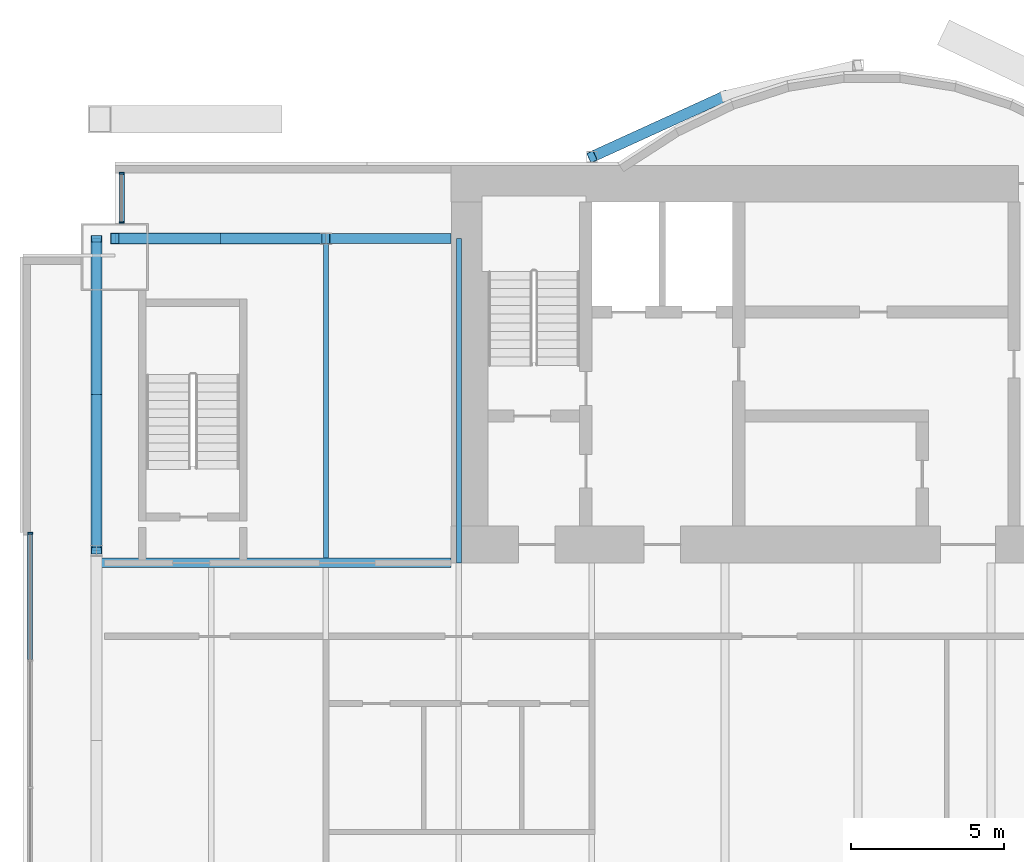
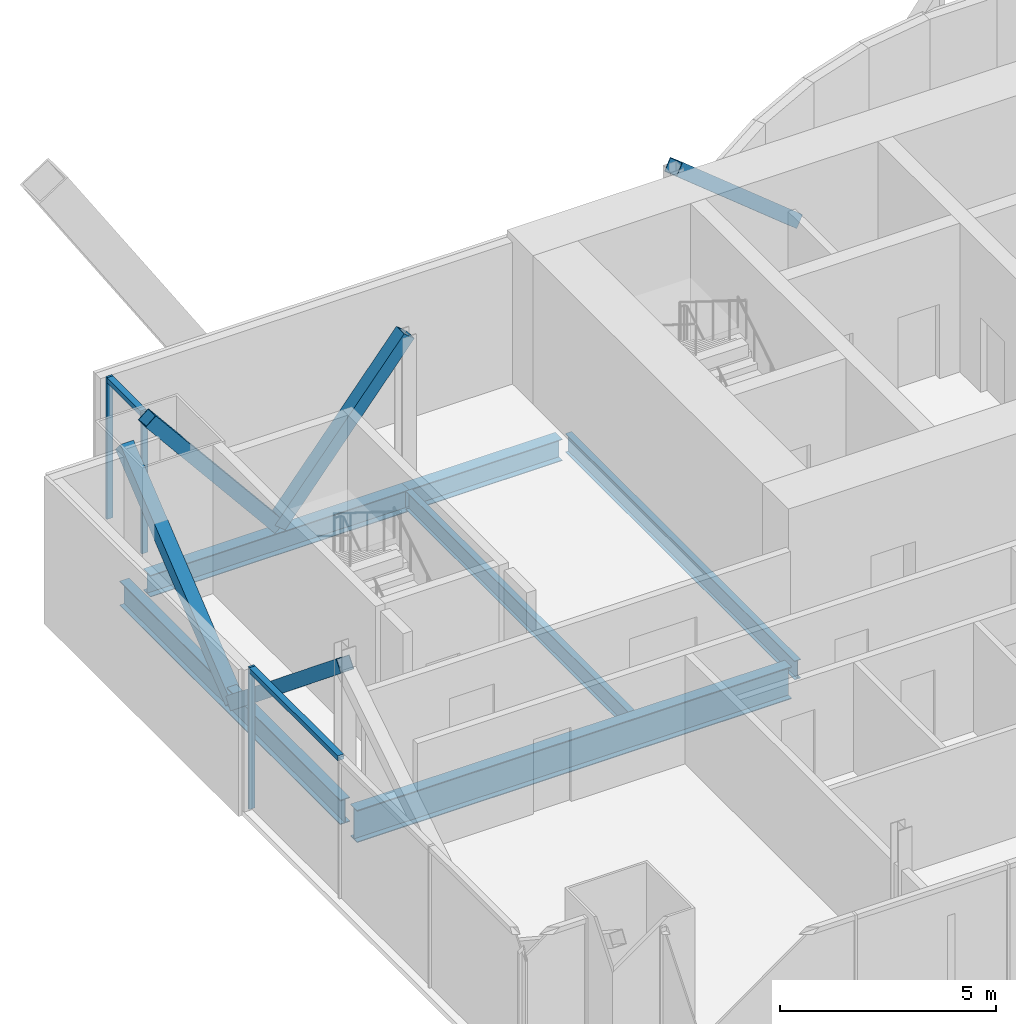
# One storey, part 7 of 19: 10 members, 6 beams, 2 elements without a shape of their own.
"""IFC4 building model written with IfcOpenShell, lengths in metres."""

from ifc_helpers import new_model, si_unit, direction, frame, origin, origin_2d, place, context, subcontext, project, spatial, rectangle, hollow_rectangle, i_section, extrude, material, material_profile, profile_set, type_object, element, aggregate, save


model = new_model("IFC4")

# Units and contexts
model_context = context("Model", 3, precision=1e-05, world=origin(), true_north=direction((0.0, 1.0)))
body_context = subcontext(model_context, "Body", "Model", "MODEL_VIEW")
ifc_project = project(units=[si_unit("LENGTHUNIT", "METRE"), si_unit("AREAUNIT", "SQUARE_METRE"), si_unit("VOLUMEUNIT", "CUBIC_METRE"), si_unit("PLANEANGLEUNIT", "RADIAN"), si_unit("MASSUNIT", "GRAM", prefix="KILO")], contexts=[model_context])

# Site, building, storey
site_placement = place(None, origin())
site = spatial("IfcSite", under=ifc_project, at=site_placement, CompositionType="ELEMENT")
building_placement = place(site_placement, origin())
building = spatial("IfcBuilding", under=site, at=building_placement, Name="Bicima Exchange Tower", CompositionType="ELEMENT")
storey_placement = place(building_placement, frame((0.0, 0.0, 283.39990234375)))
storey = spatial("IfcBuildingStorey", under=building, at=storey_placement, Name="L64", CompositionType="ELEMENT", Elevation=283.39990234375)

# Beam
ifc_material_1 = material(Name="Steel ASTM A992 Gr 50", Category="steel")
ifc_material_profile_1 = material_profile(ifc_material_1, i_section(OverallWidth=0.3046875, OverallDepth=0.911865234375, WebThickness=0.015869140625, FlangeThickness=0.02392578125, at=origin_2d()))
ifc_profile_set_1 = profile_set([ifc_material_profile_1], Name="Steel ASTM A992 Gr 50")
beam_type_1 = type_object("IfcBeamType", Name="Core-line girder W36x150", PredefinedType="BEAM", material=ifc_profile_set_1)
beam_1_placement = place(storey_placement, frame((-22.0, -13.0, -0.605712890625), z_axis=(-1.0, 0.0, 0.0), x_axis=(0.0, -1.0, 0.0)))
element("IfcBeam", 1, at=beam_1_placement, inside=storey, type_object=beam_type_1, Name="Core-line girder", PredefinedType="BEAM", context=body_context, shape_type="SweptSolid", body=[
    extrude(i_section(OverallWidth=0.3046875, OverallDepth=0.911865234375, WebThickness=0.015869140625, FlangeThickness=0.02392578125, at=origin_2d()), origin(), (0.0, 0.0, 1.0), 11.60009765625),
])

# Curtain wall, members
ifc_material_2 = material(Name="Anodised bronze aluminium", Category="aluminium")
curtain_wall_type_1 = type_object("IfcCurtainWallType", Name="End face glass wall", PredefinedType="NOTDEFINED", material=ifc_material_2)
curtain_wall_1_placement = place(storey_placement, origin())
curtain_wall_1 = element("IfcCurtainWall", 2, at=curtain_wall_1_placement, inside=storey, type_object=curtain_wall_type_1, Name="End face glass wall L64 run 2", PredefinedType="NOTDEFINED")
ifc_material_profile_2 = material_profile(ifc_material_2, rectangle(XDim=0.159912109375, YDim=0.06005859375, at=origin_2d()))
ifc_profile_set_2 = profile_set([ifc_material_profile_2], Name="Anodised bronze aluminium")
member_type_1 = type_object("IfcMemberType", Name="End face glass wall mullion 60 x 160", PredefinedType="MULLION", material=ifc_profile_set_2)
member_1_placement = place(storey_placement, frame((-35.77001953125, -12.030029296875, 0.0), z_axis=(0.0, 0.0, 1.0), x_axis=(1.0, 0.0, 0.0)))
member_1 = element("IfcMember", 3, at=member_1_placement, type_object=member_type_1, Name="End face glass wall mullion 1", PredefinedType="MULLION", context=body_context, shape_type="SweptSolid", body=[
    extrude(rectangle(XDim=0.159912109375, YDim=0.06005859375, at=origin_2d()), origin(), (0.0, 0.0, 1.0), 4.0),
])
ifc_material_profile_3 = material_profile(ifc_material_2, rectangle(XDim=0.159912109375, YDim=0.139892578125, at=origin_2d()))
ifc_profile_set_3 = profile_set([ifc_material_profile_3], Name="Anodised bronze aluminium")
member_type_2 = type_object("IfcMemberType", Name="End face glass wall transom 140 x 160", PredefinedType="USERDEFINED", material=ifc_profile_set_3)
member_2_placement = place(storey_placement, frame((-35.77001953125, -12.06005859375, 3.93017578125), z_axis=(0.0, -1.0, 0.0), x_axis=(1.0, 0.0, 0.0)))
member_2 = element("IfcMember", 4, at=member_2_placement, type_object=member_type_2, Name="End face glass wall transom 1.1", ObjectType="TRANSOM", PredefinedType="USERDEFINED", context=body_context, shape_type="SweptSolid", body=[
    extrude(rectangle(XDim=0.159912109375, YDim=0.139892578125, at=origin_2d()), origin(), (0.0, 0.0, 1.0), 4.09912109375),
])
aggregate(curtain_wall_1, [member_1, member_2])

# Beams
ifc_material_profile_4 = material_profile(ifc_material_1, i_section(OverallWidth=0.256591796875, OverallDepth=0.693359375, WebThickness=0.014404296875, FlangeThickness=0.023681640625, at=origin_2d()))
ifc_profile_set_4 = profile_set([ifc_material_profile_4], Name="Steel ASTM A992 Gr 50")
beam_type_2 = type_object("IfcBeamType", Name="End girder W27x114", PredefinedType="BEAM", material=ifc_profile_set_4)
beam_2_placement = place(storey_placement, frame((-33.60009765625, -2.39990234375, -0.49658203125), z_axis=(0.0, -1.0, 0.0), x_axis=(1.0, 0.0, 0.0)))
element("IfcBeam", 5, at=beam_2_placement, inside=storey, type_object=beam_type_2, Name="End girder", PredefinedType="BEAM", context=body_context, shape_type="SweptSolid", body=[
    extrude(i_section(OverallWidth=0.256591796875, OverallDepth=0.693359375, WebThickness=0.014404296875, FlangeThickness=0.023681640625, at=origin_2d()), origin(), (0.0, 0.0, 1.0), 10.2001953125),
])
ifc_material_profile_5 = material_profile(ifc_material_1, i_section(OverallWidth=0.165771484375, OverallDepth=0.5283203125, WebThickness=0.009765625, FlangeThickness=0.013671875, at=origin_2d()))
ifc_profile_set_5 = profile_set([ifc_material_profile_5], Name="Steel ASTM A992 Gr 50")
beam_type_3 = type_object("IfcBeamType", Name="Floor beam W21x50", PredefinedType="JOIST", material=ifc_profile_set_5)
beam_3_placement = place(storey_placement, frame((-26.10009765625, -2.5625, -0.4140625), z_axis=(0.0, -1.0, 0.0), x_axis=(1.0, 0.0, 0.0)))
element("IfcBeam", 6, at=beam_3_placement, inside=storey, type_object=beam_type_3, Name="Floor beam", PredefinedType="JOIST", context=body_context, shape_type="SweptSolid", body=[
    extrude(i_section(OverallWidth=0.165771484375, OverallDepth=0.5283203125, WebThickness=0.009765625, FlangeThickness=0.013671875, at=origin_2d()), origin(), (0.0, 0.0, 1.0), 10.28515625),
])
beam_4_placement = place(storey_placement, frame((-21.75, -2.39990234375, -0.4140625), z_axis=(0.0, -1.0, 0.0), x_axis=(1.0, 0.0, 0.0)))
element("IfcBeam", 7, at=beam_4_placement, inside=storey, type_object=beam_type_3, Name="Floor beam", PredefinedType="JOIST", context=body_context, shape_type="SweptSolid", body=[
    extrude(i_section(OverallWidth=0.165771484375, OverallDepth=0.5283203125, WebThickness=0.009765625, FlangeThickness=0.013671875, at=origin_2d()), origin(), (0.0, 0.0, 1.0), 10.60009765625),
])

# Curtain wall, members
curtain_wall_type_2 = type_object("IfcCurtainWallType", Name="Front glass wall", PredefinedType="NOTDEFINED", material=ifc_material_2)
curtain_wall_2_placement = place(storey_placement, origin())
curtain_wall_2 = element("IfcCurtainWall", 8, at=curtain_wall_2_placement, inside=storey, type_object=curtain_wall_type_2, Name="Front glass wall L64 run 1", PredefinedType="NOTDEFINED")
member_type_3 = type_object("IfcMemberType", Name="Front glass wall mullion 60 x 160", PredefinedType="MULLION", material=ifc_profile_set_2)
member_3_placement = place(storey_placement, frame((-32.77001953125, -0.260009765625, 0.0), z_axis=(0.0, 0.0, 1.0), x_axis=(1.0, 0.0, 0.0)))
member_3 = element("IfcMember", 9, at=member_3_placement, type_object=member_type_3, Name="Front glass wall mullion 1", PredefinedType="MULLION", context=body_context, shape_type="SweptSolid", body=[
    extrude(rectangle(XDim=0.159912109375, YDim=0.06005859375, at=origin_2d()), origin(), (0.0, 0.0, 1.0), 4.0),
])
member_4_placement = place(storey_placement, frame((-32.77001953125, -1.8701171875, 0.0), z_axis=(0.0, 0.0, 1.0), x_axis=(1.0, 0.0, 0.0)))
member_4 = element("IfcMember", 10, at=member_4_placement, type_object=member_type_3, Name="Front glass wall mullion 2", PredefinedType="MULLION", context=body_context, shape_type="SweptSolid", body=[
    extrude(rectangle(XDim=0.159912109375, YDim=0.06005859375, at=origin_2d()), origin(), (0.0, 0.0, 1.0), 4.0),
])
member_type_4 = type_object("IfcMemberType", Name="Front glass wall transom 140 x 160", PredefinedType="USERDEFINED", material=ifc_profile_set_3)
member_5_placement = place(storey_placement, frame((-32.77001953125, -0.2900390625, 3.93017578125), z_axis=(0.0, -1.0, 0.0), x_axis=(1.0, 0.0, 0.0)))
member_5 = element("IfcMember", 11, at=member_5_placement, type_object=member_type_4, Name="Front glass wall transom 1.1", ObjectType="TRANSOM", PredefinedType="USERDEFINED", context=body_context, shape_type="SweptSolid", body=[
    extrude(rectangle(XDim=0.159912109375, YDim=0.139892578125, at=origin_2d()), origin(), (0.0, 0.0, 1.0), 1.550048828125),
])
aggregate(curtain_wall_2, [member_3, member_4, member_5])

# Members
ifc_material_3 = material(Name="Steel ASTM A572 Gr 50", Category="steel")
ifc_material_profile_6 = material_profile(ifc_material_3, hollow_rectangle(XDim=0.355712890625, YDim=0.355712890625, WallThickness=0.0146484375, at=origin_2d()))
ifc_profile_set_6 = profile_set([ifc_material_profile_6], Name="Steel ASTM A572 Gr 50")
member_type_5 = type_object("IfcMemberType", Name="Mega brace HSS14x14x5/8", PredefinedType="BRACE", material=ifc_profile_set_6)
member_6_placement = place(storey_placement, frame((-13.050048828125, 2.262451171875, 0.0), z_axis=(-0.683508386489, -0.31181209886, 0.659992045864), x_axis=(0.415045223819, -0.909800781592, 0.0)))
element("IfcMember", 12, at=member_6_placement, inside=storey, type_object=member_type_5, Name="Mega brace rexo", PredefinedType="BRACE", context=body_context, shape_type="SweptSolid", body=[
    extrude(hollow_rectangle(XDim=0.355712890625, YDim=0.355712890625, WallThickness=0.0146484375, at=origin_2d()), origin(), (0.0, 0.0, 1.0), 6.364013671875),
])
for number, where, z_axis, x_axis, name in (
    (13, (-29.550048828125, -2.39990234375, 0.0), (0.634716434539, 0.0, 0.772745137627), (0.0, 1.0, 0.0), "Mega brace rear"),
    (14, (-29.550048828125, -2.39990234375, 0.0), (-0.634716434539, 0.0, 0.772745137627), (0.0, -1.0, 0.0), "Mega brace rear"),
):
    element("IfcMember", number, at=place(storey_placement, frame(where, z_axis=z_axis, x_axis=x_axis)), inside=storey, type_object=member_type_5, Name=name, PredefinedType="BRACE", context=body_context, shape_type="SweptSolid", body=[
        extrude(hollow_rectangle(XDim=0.355712890625, YDim=0.355712890625, WallThickness=0.0146484375, at=origin_2d()), origin(), (0.0, 0.0, 1.0), 5.435302734375),
    ])
for number, where, z_axis, x_axis, name in (
    (15, (-33.60009765625, -7.5, -0.49658203125), (0.0, -0.775661766358, 0.631148813047), (1.0, 0.0, 0.0), "Mega brace west end"),
    (16, (-33.60009765625, -7.5, -0.49658203125), (0.0, 0.775661766358, 0.631148813047), (-1.0, 0.0, 0.0), "Mega brace west end"),
):
    element("IfcMember", number, at=place(storey_placement, frame(where, z_axis=z_axis, x_axis=x_axis)), inside=storey, type_object=member_type_5, Name=name, PredefinedType="BRACE", context=body_context, shape_type="SweptSolid", body=[
        extrude(hollow_rectangle(XDim=0.355712890625, YDim=0.355712890625, WallThickness=0.0146484375, at=origin_2d()), origin(), (0.0, 0.0, 1.0), 6.5751953125),
    ])

# Beams
ifc_material_profile_7 = material_profile(ifc_material_1, i_section(OverallWidth=0.3251953125, OverallDepth=0.612060546875, WebThickness=0.0126953125, FlangeThickness=0.01904296875, at=origin_2d()))
ifc_profile_set_7 = profile_set([ifc_material_profile_7], Name="Steel ASTM A992 Gr 50")
beam_type_4 = type_object("IfcBeamType", Name="Rear girder W24x104", PredefinedType="BEAM", material=ifc_profile_set_7)
beam_5_placement = place(storey_placement, frame((-22.0, -2.39990234375, -0.4560546875), z_axis=(-1.0, 0.0, 0.0), x_axis=(0.0, -1.0, 0.0)))
element("IfcBeam", 17, at=beam_5_placement, inside=storey, type_object=beam_type_4, Name="Rear girder", PredefinedType="BEAM", context=body_context, shape_type="SweptSolid", body=[
    extrude(i_section(OverallWidth=0.3251953125, OverallDepth=0.612060546875, WebThickness=0.0126953125, FlangeThickness=0.01904296875, at=origin_2d()), origin(), (0.0, 0.0, 1.0), 4.10009765625),
])
beam_6_placement = place(storey_placement, frame((-26.10009765625, -2.39990234375, -0.4560546875), z_axis=(-1.0, 0.0, 0.0), x_axis=(0.0, -1.0, 0.0)))
element("IfcBeam", 18, at=beam_6_placement, inside=storey, type_object=beam_type_4, Name="Rear girder", PredefinedType="BEAM", context=body_context, shape_type="SweptSolid", body=[
    extrude(i_section(OverallWidth=0.3251953125, OverallDepth=0.612060546875, WebThickness=0.0126953125, FlangeThickness=0.01904296875, at=origin_2d()), origin(), (0.0, 0.0, 1.0), 6.89990234375),
])

save(model, "model.ifc")
